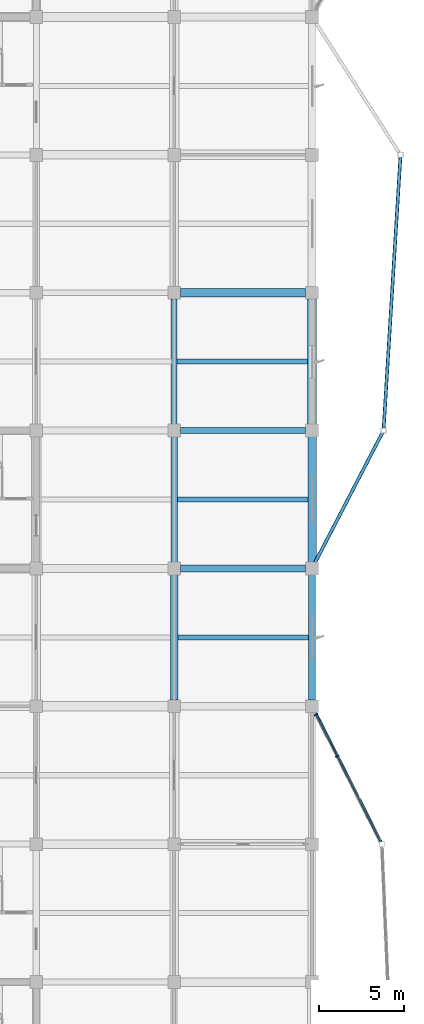
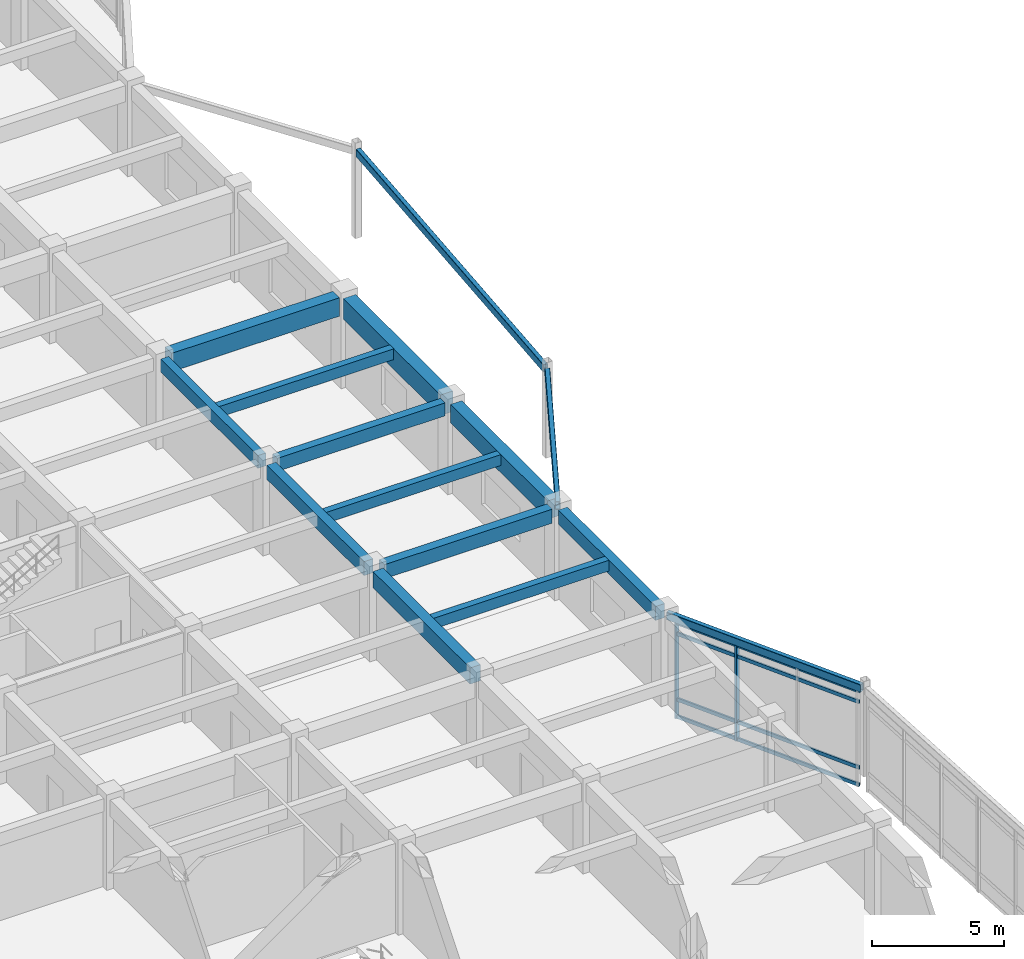
# One storey, part 40 of 89: 15 beams, 6 members, 1 element without a shape of its own.
"""IFC4 building model written with IfcOpenShell, lengths in metres."""

from ifc_helpers import new_model, si_unit, direction, frame, origin, origin_2d, place, context, subcontext, project, spatial, rectangle, hollow_rectangle, extrude, material, layer, layer_set, material_profile, profile_set, type_object, element, aggregate, save


model = new_model("IFC4")

# Units and contexts
model_context = context("Model", 3, precision=1e-05, world=origin(), true_north=direction((0.0, 1.0)))
body_context = subcontext(model_context, "Body", "Model", "MODEL_VIEW")
ifc_project = project(units=[si_unit("LENGTHUNIT", "METRE"), si_unit("AREAUNIT", "SQUARE_METRE"), si_unit("VOLUMEUNIT", "CUBIC_METRE"), si_unit("PLANEANGLEUNIT", "RADIAN"), si_unit("MASSUNIT", "GRAM", prefix="KILO")], contexts=[model_context])

# Site, building, storey
site_placement = place(None, origin())
site = spatial("IfcSite", under=ifc_project, at=site_placement, CompositionType="ELEMENT")
building_placement = place(site_placement, origin())
building = spatial("IfcBuilding", under=site, at=building_placement, Name="Vaudrelin Polytechnic", CompositionType="ELEMENT")
storey_placement = place(building_placement, frame((0.0, 0.0, 9.68994140625)))
storey = spatial("IfcBuildingStorey", under=building, at=storey_placement, Name="L02", CompositionType="ELEMENT", Elevation=9.68994140625)

# Beams
ifc_material_1 = material(Name="Concrete 40 MPa", Category="concrete")
ifc_material_profile_1 = material_profile(ifc_material_1, rectangle(XDim=0.35009765625, YDim=0.60009765625, at=origin_2d()), Name="RC350x600")
ifc_profile_set_1 = profile_set([ifc_material_profile_1], Name="Concrete 40 MPa")
beam_type_1 = type_object("IfcBeamType", Name="BM-BM-RC3560", PredefinedType="BEAM", material=ifc_profile_set_1)
beam_1_placement = place(storey_placement, frame((162.0, 73.260009765625, 3.840087890625), z_axis=(0.0, 1.0, 0.0), x_axis=(-1.0, 0.0, 0.0)))
element("IfcBeam", 1, at=beam_1_placement, inside=storey, type_object=beam_type_1, Name="L02 Y-beam 21-10", PredefinedType="BEAM", context=body_context, shape_type="SweptSolid", body=[
    extrude(rectangle(XDim=0.35009765625, YDim=0.60009765625, at=origin_2d()), origin(), (0.0, 0.0, 1.0), 7.3798828125),
])
beam_2_placement = place(storey_placement, frame((162.37109375, 72.89990234375, 3.840087890625), z_axis=(1.0, 0.0, 0.0), x_axis=(0.0, 1.0, 0.0)))
element("IfcBeam", 2, at=beam_2_placement, inside=storey, type_object=beam_type_1, Name="L02 X-beam 21-10", PredefinedType="BEAM", context=body_context, shape_type="SweptSolid", body=[
    extrude(rectangle(XDim=0.35009765625, YDim=0.60009765625, at=origin_2d()), origin(), (0.0, 0.0, 1.0), 7.35791015625),
])
ifc_material_profile_2 = material_profile(ifc_material_1, rectangle(XDim=0.39990234375, YDim=0.64990234375, at=origin_2d()), Name="RC400x650")
ifc_profile_set_2 = profile_set([ifc_material_profile_2], Name="Concrete 40 MPa")
beam_type_2 = type_object("IfcBeamType", Name="BM-BM-RC4065", PredefinedType="BEAM", material=ifc_profile_set_2)
beam_3_placement = place(storey_placement, frame((162.0, 65.159912109375, 3.81494140625), z_axis=(0.0, 1.0, 0.0), x_axis=(-1.0, 0.0, 0.0)))
element("IfcBeam", 3, at=beam_3_placement, inside=storey, type_object=beam_type_2, Name="L02 Y-beam 21-9", PredefinedType="BEAM", context=body_context, shape_type="SweptSolid", body=[
    extrude(rectangle(XDim=0.39990234375, YDim=0.64990234375, at=origin_2d()), origin(), (0.0, 0.0, 1.0), 7.380126953125),
])
beam_4_placement = place(storey_placement, frame((162.37109375, 64.800048828125, 3.81494140625), z_axis=(1.0, 0.0, 0.0), x_axis=(0.0, 1.0, 0.0)))
element("IfcBeam", 4, at=beam_4_placement, inside=storey, type_object=beam_type_2, Name="L02 X-beam 21-9", PredefinedType="BEAM", context=body_context, shape_type="SweptSolid", body=[
    extrude(rectangle(XDim=0.39990234375, YDim=0.64990234375, at=origin_2d()), origin(), (0.0, 0.0, 1.0), 7.35791015625),
])
ifc_material_profile_3 = material_profile(ifc_material_1, rectangle(XDim=0.449951171875, YDim=0.75, at=origin_2d()), Name="RC450x750")
ifc_profile_set_3 = profile_set([ifc_material_profile_3], Name="Concrete 40 MPa")
beam_type_3 = type_object("IfcBeamType", Name="BM-BM-RC4575", PredefinedType="BEAM", material=ifc_profile_set_3)
beam_5_placement = place(storey_placement, frame((162.0, 57.06005859375, 3.76513671875), z_axis=(0.0, 1.0, 0.0), x_axis=(-1.0, 0.0, 0.0)))
element("IfcBeam", 5, at=beam_5_placement, inside=storey, type_object=beam_type_3, Name="L02 Y-beam 21-8", PredefinedType="BEAM", context=body_context, shape_type="SweptSolid", body=[
    extrude(rectangle(XDim=0.449951171875, YDim=0.75, at=origin_2d()), origin(), (0.0, 0.0, 1.0), 7.3798828125),
])
ifc_material_profile_4 = material_profile(ifc_material_1, rectangle(XDim=0.5, YDim=0.85009765625, at=origin_2d()), Name="RC500x850")
ifc_profile_set_4 = profile_set([ifc_material_profile_4], Name="Concrete 40 MPa")
beam_type_4 = type_object("IfcBeamType", Name="BM-BM-RC5085", PredefinedType="BEAM", material=ifc_profile_set_4)
beam_6_placement = place(storey_placement, frame((170.10009765625, 65.159912109375, 3.715087890625), z_axis=(0.0, 1.0, 0.0), x_axis=(-1.0, 0.0, 0.0)))
element("IfcBeam", 6, at=beam_6_placement, inside=storey, type_object=beam_type_4, Name="L02 Y-beam 22-9", PredefinedType="BEAM", context=body_context, shape_type="SweptSolid", body=[
    extrude(rectangle(XDim=0.5, YDim=0.85009765625, at=origin_2d()), origin(), (0.0, 0.0, 1.0), 7.380126953125),
])
beam_7_placement = place(storey_placement, frame((162.37109375, 81.0, 3.715087890625), z_axis=(1.0, 0.0, 0.0), x_axis=(0.0, 1.0, 0.0)))
element("IfcBeam", 7, at=beam_7_placement, inside=storey, type_object=beam_type_4, Name="L02 X-beam 21-11", PredefinedType="BEAM", context=body_context, shape_type="SweptSolid", body=[
    extrude(rectangle(XDim=0.5, YDim=0.85009765625, at=origin_2d()), origin(), (0.0, 0.0, 1.0), 7.35791015625),
])
ifc_material_2 = material(Name="Concrete 50 MPa", Category="concrete")
ifc_material_profile_5 = material_profile(ifc_material_2, rectangle(XDim=0.550048828125, YDim=0.949951171875, at=origin_2d()), Name="RC550x950")
ifc_profile_set_5 = profile_set([ifc_material_profile_5], Name="Concrete 50 MPa")
beam_type_5 = type_object("IfcBeamType", Name="BM-BM-RC5595", PredefinedType="BEAM", material=ifc_profile_set_5)
beam_8_placement = place(storey_placement, frame((170.10009765625, 73.260009765625, 3.6650390625), z_axis=(0.0, 1.0, 0.0), x_axis=(-1.0, 0.0, 0.0)))
element("IfcBeam", 8, at=beam_8_placement, inside=storey, type_object=beam_type_5, Name="L02 Y-beam 22-10", PredefinedType="BEAM", context=body_context, shape_type="SweptSolid", body=[
    extrude(rectangle(XDim=0.550048828125, YDim=0.949951171875, at=origin_2d()), origin(), (0.0, 0.0, 1.0), 7.3798828125),
])
ifc_material_profile_6 = material_profile(ifc_material_1, rectangle(XDim=0.300048828125, YDim=0.5, at=origin_2d()), Name="RC300x500")
ifc_profile_set_6 = profile_set([ifc_material_profile_6], Name="Concrete 40 MPa")
beam_type_6 = type_object("IfcBeamType", Name="BM-JS-RC3050", PredefinedType="JOIST", material=ifc_profile_set_6)
beam_9_placement = place(storey_placement, frame((162.220947265625, 60.75, 3.89013671875), z_axis=(1.0, 0.0, 0.0), x_axis=(0.0, 1.0, 0.0)))
element("IfcBeam", 9, at=beam_9_placement, inside=storey, type_object=beam_type_6, Name="L02 floor joist 21-8", PredefinedType="JOIST", context=body_context, shape_type="SweptSolid", body=[
    extrude(rectangle(XDim=0.300048828125, YDim=0.5, at=origin_2d()), origin(), (0.0, 0.0, 1.0), 7.68310546875),
])
beam_10_placement = place(storey_placement, frame((162.196044921875, 68.85009765625, 3.89013671875), z_axis=(1.0, 0.0, 0.0), x_axis=(0.0, 1.0, 0.0)))
element("IfcBeam", 10, at=beam_10_placement, inside=storey, type_object=beam_type_6, Name="L02 floor joist 21-9", PredefinedType="JOIST", context=body_context, shape_type="SweptSolid", body=[
    extrude(rectangle(XDim=0.300048828125, YDim=0.5, at=origin_2d()), origin(), (0.0, 0.0, 1.0), 7.657958984375),
])
beam_11_placement = place(storey_placement, frame((162.1708984375, 76.949951171875, 3.89013671875), z_axis=(1.0, 0.0, 0.0), x_axis=(0.0, 1.0, 0.0)))
element("IfcBeam", 11, at=beam_11_placement, inside=storey, type_object=beam_type_6, Name="L02 floor joist 21-10", PredefinedType="JOIST", context=body_context, shape_type="SweptSolid", body=[
    extrude(rectangle(XDim=0.300048828125, YDim=0.5, at=origin_2d()), origin(), (0.0, 0.0, 1.0), 7.658203125),
])
ifc_material_3 = material(Name="Steel CSA G40.21 350WT", Category="steel")
ifc_material_profile_7 = material_profile(ifc_material_3, hollow_rectangle(XDim=0.202880859375, YDim=0.35595703125, WallThickness=0.0126953125, InnerFilletRadius=0.0126953125, OuterFilletRadius=0.025390625, at=origin_2d()), Name="HSS356x203x12.7")
ifc_profile_set_7 = profile_set([ifc_material_profile_7], Name="Steel CSA G40.21 350WT")
beam_type_7 = type_object("IfcBeamType", Name="BM-SP-HSS35", PredefinedType="SPANDREL", material=ifc_profile_set_7)
beam_12_placement = place(storey_placement, frame((174.13671875, 48.724853515625, 3.962158203125), z_axis=(-0.451614433944, 0.892213204931, 0.0), x_axis=(-0.892213204931, -0.451614433944, 0.0)))
element("IfcBeam", 12, at=beam_12_placement, inside=storey, type_object=beam_type_7, Name="Sculptural edge beam L02 E_OR1_B3", PredefinedType="SPANDREL", context=body_context, shape_type="SweptSolid", body=[
    extrude(hollow_rectangle(XDim=0.202880859375, YDim=0.35595703125, WallThickness=0.0126953125, InnerFilletRadius=0.0126953125, OuterFilletRadius=0.025390625, at=origin_2d()), origin(), (0.0, 0.0, 1.0), 8.798828125),
])
beam_13_placement = place(storey_placement, frame((170.164306640625, 64.92431640625, 3.962158203125), z_axis=(0.460338114153, 0.887743668329, 0.0), x_axis=(-0.887743668329, 0.460338114153, 0.0)))
element("IfcBeam", 13, at=beam_13_placement, inside=storey, type_object=beam_type_7, Name="Sculptural edge beam L02 E_OR2_B1", PredefinedType="SPANDREL", context=body_context, shape_type="SweptSolid", body=[
    extrude(hollow_rectangle(XDim=0.202880859375, YDim=0.35595703125, WallThickness=0.0126953125, InnerFilletRadius=0.0126953125, OuterFilletRadius=0.025390625, at=origin_2d()), origin(), (0.0, 0.0, 1.0), 8.84423828125),
])
beam_14_placement = place(storey_placement, frame((174.30859375, 73.039794921875, 3.962158203125), z_axis=(0.061621667017, 0.998099579278, 0.0), x_axis=(-0.998099579278, 0.061621667017, 0.0)))
element("IfcBeam", 14, at=beam_14_placement, inside=storey, type_object=beam_type_7, Name="Sculptural edge beam L02 E_OR2_B2", PredefinedType="SPANDREL", context=body_context, shape_type="SweptSolid", body=[
    extrude(hollow_rectangle(XDim=0.202880859375, YDim=0.35595703125, WallThickness=0.0126953125, InnerFilletRadius=0.0126953125, OuterFilletRadius=0.025390625, at=origin_2d()), origin(), (0.0, 0.0, 1.0), 15.95068359375),
])
ifc_material_profile_8 = material_profile(ifc_material_1, rectangle(XDim=0.39990234375, YDim=0.64990234375, at=origin_2d()), Name="RC400x650")
ifc_profile_set_8 = profile_set([ifc_material_profile_8], Name="Concrete 40 MPa")
beam_type_8 = type_object("IfcBeamType", Name="BM-SP-RC4065", PredefinedType="SPANDREL", material=ifc_profile_set_8)
beam_15_placement = place(storey_placement, frame((170.10009765625, 57.06005859375, 3.81494140625), z_axis=(0.0, 1.0, 0.0), x_axis=(-1.0, 0.0, 0.0)))
element("IfcBeam", 15, at=beam_15_placement, inside=storey, type_object=beam_type_8, Name="L02 Y-beam 22-8", PredefinedType="SPANDREL", context=body_context, shape_type="SweptSolid", body=[
    extrude(rectangle(XDim=0.39990234375, YDim=0.64990234375, at=origin_2d()), origin(), (0.0, 0.0, 1.0), 7.3798828125),
])

# Curtain wall, members
ifc_material_4 = material(Name="Thermally broken anodised aluminium AA 6063-T6 and low-e triple glazing", Category="aluminium")
ifc_layer = layer(ifc_material_4, 0.199951171875)
ifc_layer_set = layer_set([ifc_layer], Name="Thermally broken anodised aluminium AA 6063-T6 and low-e triple glazing")
curtain_wall_type = type_object("IfcCurtainWallType", Name="CW-CW-LAB", PredefinedType="USERDEFINED", material=ifc_layer_set)
curtain_wall_placement = place(storey_placement, origin())
curtain_wall = element("IfcCurtainWall", 16, at=curtain_wall_placement, inside=storey, type_object=curtain_wall_type, Name="Curtain wall L02 E_OR1_3_0", ObjectType="CURTAIN WALL", PredefinedType="USERDEFINED")
ifc_material_5 = material(Name="Anodised aluminium AA 6063-T6", Category="aluminium")
ifc_material_profile_9 = material_profile(ifc_material_5, rectangle(XDim=0.074951171875, YDim=0.219970703125, at=origin_2d()), Name="CWM-75x220")
ifc_profile_set_9 = profile_set([ifc_material_profile_9], Name="Anodised aluminium AA 6063-T6")
member_type_1 = type_object("IfcMemberType", Name="MEM-CWM-220", PredefinedType="MULLION", material=ifc_profile_set_9)
member_1_placement = place(storey_placement, frame((171.580322265625, 53.775634765625, -0.6298828125), z_axis=(0.0, 0.0, 1.0), x_axis=(-0.451608607789, 0.892216153951, 0.0)))
member_1 = element("IfcMember", 17, at=member_1_placement, type_object=member_type_1, Name="E_OR1_3_0 mullion 3", PredefinedType="MULLION", context=body_context, shape_type="SweptSolid", body=[
    extrude(rectangle(XDim=0.074951171875, YDim=0.219970703125, at=origin_2d()), origin(), (0.0, 0.0, 1.0), 4.43994140625),
])
member_2_placement = place(storey_placement, frame((170.34619140625, 56.21337890625, -0.6298828125), z_axis=(0.0, 0.0, 1.0), x_axis=(-0.451608607789, 0.892216153951, 0.0)))
member_2 = element("IfcMember", 18, at=member_2_placement, type_object=member_type_1, Name="E_OR1_3_0 mullion 4", PredefinedType="MULLION", context=body_context, shape_type="SweptSolid", body=[
    extrude(rectangle(XDim=0.074951171875, YDim=0.219970703125, at=origin_2d()), origin(), (0.0, 0.0, 1.0), 4.43994140625),
])
ifc_material_profile_10 = material_profile(ifc_material_5, rectangle(XDim=0.074951171875, YDim=0.1650390625, at=origin_2d()), Name="CWT-75x165")
ifc_profile_set_10 = profile_set([ifc_material_profile_10], Name="Anodised aluminium AA 6063-T6")
member_type_2 = type_object("IfcMemberType", Name="MEM-CWT-165", PredefinedType="USERDEFINED", material=ifc_profile_set_10)
member_3_placement = place(storey_placement, frame((174.08447265625, 48.828369140625, -0.579833984375), z_axis=(-0.451622815368, 0.892208962429, 0.0), x_axis=(-0.892208962429, -0.451622815368, 0.0)))
member_3 = element("IfcMember", 19, at=member_3_placement, type_object=member_type_2, Name="E_OR1_3_0 transom 1", ObjectType="TRANSOM", PredefinedType="USERDEFINED", context=body_context, shape_type="SweptSolid", body=[
    extrude(rectangle(XDim=0.074951171875, YDim=0.1650390625, at=origin_2d()), origin(), (0.0, 0.0, 1.0), 8.3173828125),
])
member_4_placement = place(storey_placement, frame((174.08447265625, 48.828369140625, 0.219970703125), z_axis=(-0.451622815368, 0.892208962429, 0.0), x_axis=(-0.892208962429, -0.451622815368, 0.0)))
member_4 = element("IfcMember", 20, at=member_4_placement, type_object=member_type_2, Name="E_OR1_3_0 transom 2", ObjectType="TRANSOM", PredefinedType="USERDEFINED", context=body_context, shape_type="SweptSolid", body=[
    extrude(rectangle(XDim=0.074951171875, YDim=0.1650390625, at=origin_2d()), origin(), (0.0, 0.0, 1.0), 8.3173828125),
])
member_5_placement = place(storey_placement, frame((174.08447265625, 48.828369140625, 3.260009765625), z_axis=(-0.451622815368, 0.892208962429, 0.0), x_axis=(-0.892208962429, -0.451622815368, 0.0)))
member_5 = element("IfcMember", 21, at=member_5_placement, type_object=member_type_2, Name="E_OR1_3_0 transom 3", ObjectType="TRANSOM", PredefinedType="USERDEFINED", context=body_context, shape_type="SweptSolid", body=[
    extrude(rectangle(XDim=0.074951171875, YDim=0.1650390625, at=origin_2d()), origin(), (0.0, 0.0, 1.0), 8.3173828125),
])
member_6_placement = place(storey_placement, frame((174.08447265625, 48.828369140625, 3.760009765625), z_axis=(-0.451622815368, 0.892208962429, 0.0), x_axis=(-0.892208962429, -0.451622815368, 0.0)))
member_6 = element("IfcMember", 22, at=member_6_placement, type_object=member_type_2, Name="E_OR1_3_0 transom 4", ObjectType="TRANSOM", PredefinedType="USERDEFINED", context=body_context, shape_type="SweptSolid", body=[
    extrude(rectangle(XDim=0.074951171875, YDim=0.1650390625, at=origin_2d()), origin(), (0.0, 0.0, 1.0), 8.3173828125),
])
aggregate(curtain_wall, [member_1, member_2, member_3, member_4, member_5, member_6])

save(model, "model.ifc")
